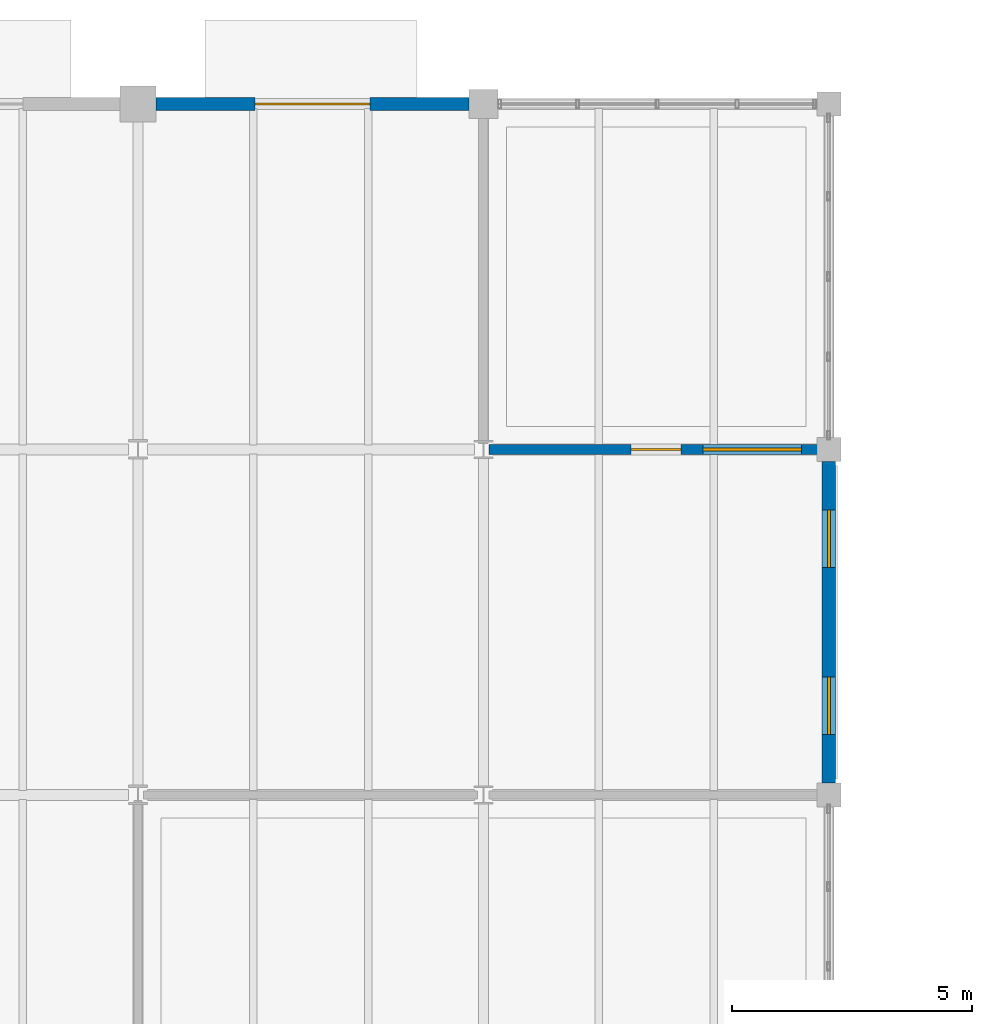
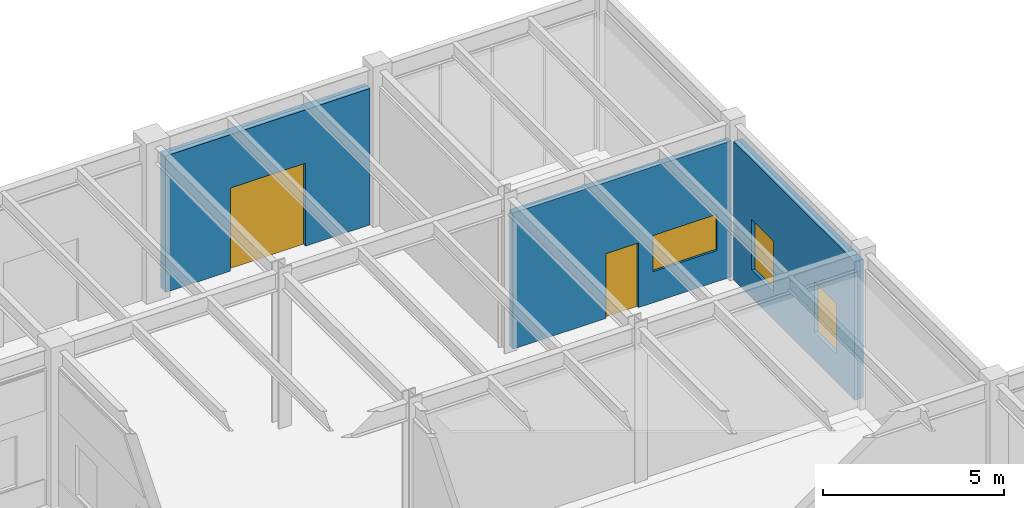
# One storey, part 44 of 97: 3 walls, 3 windows, 2 doors, 5 openings.
"""IFC4 building model written with IfcOpenShell, lengths in metres."""

from ifc_helpers import new_model, si_unit, direction, frame, frame_2d, origin, place, context, subcontext, project, spatial, rectangle, extrude, material, layer, layer_set, type_object, element, fill, save


model = new_model("IFC4")

# Units and contexts
model_context = context("Model", 3, precision=1e-05, world=origin(), true_north=direction((0.0, 1.0)))
body_context = subcontext(model_context, "Body", "Model", "MODEL_VIEW")
ifc_project = project(units=[si_unit("LENGTHUNIT", "METRE"), si_unit("AREAUNIT", "SQUARE_METRE"), si_unit("VOLUMEUNIT", "CUBIC_METRE"), si_unit("PLANEANGLEUNIT", "RADIAN"), si_unit("MASSUNIT", "GRAM", prefix="KILO")], contexts=[model_context])

# Site, building, storey
site_placement = place(None, origin())
site = spatial("IfcSite", under=ifc_project, at=site_placement, CompositionType="ELEMENT")
building_placement = place(site_placement, origin())
building = spatial("IfcBuilding", under=site, at=building_placement, Name="Sillqori Civic Hall", CompositionType="ELEMENT")
storey_placement = place(building_placement, origin())
storey = spatial("IfcBuildingStorey", under=building, at=storey_placement, Name="L01", CompositionType="ELEMENT", Elevation=0.0)

# Wall, opening, door
ifc_material_1 = material(Name="Precast concrete C40/50 (H40)", Category="concrete")
ifc_layer_1 = layer(ifc_material_1, 0.280029296875)
ifc_layer_set_1 = layer_set([ifc_layer_1], Name="Precast concrete C40/50 (H40)")
wall_type_1 = type_object("IfcWallType", Name="EW-LIME-280", PredefinedType="SOLIDWALL", material=ifc_layer_set_1)
wall_1_placement = place(storey_placement, frame((101.175048828125, 115.199951171875, 0.0), z_axis=(0.0, 0.0, 1.0), x_axis=(1.0, 0.0, 0.0)))
wall_1 = element("IfcWall", 1, at=wall_1_placement, inside=storey, type_object=wall_type_1, Name="L01 V4 exterior wall L01-14-15-N", PredefinedType="SOLIDWALL", context=body_context, shape_type="SweptSolid", body=[
    extrude(rectangle(XDim=6.52490234375, YDim=0.280029296875, at=frame_2d((3.262451171875, 0.0))), origin(), (0.0, 0.0, 1.0), 4.597900390625),
])
opening_1_placement = place(wall_1_placement, frame((2.0625, 0.0, 0.0)))
opening_1 = element("IfcOpeningElement", 2, at=opening_1_placement, cuts=wall_1, Name="Opening ED-01", PredefinedType="OPENING", context=body_context, shape_type="SweptSolid", body=[
    extrude(rectangle(XDim=2.39990234375, YDim=2.800048828125, at=frame_2d((1.199951171875, 1.39990234375))), frame((0.0, 0.14990234375, 0.0), z_axis=(0.0, -1.0, 0.0), x_axis=(1.0, 0.0, 0.0)), (0.0, 0.0, 1.0), 0.300048828125),
])
ifc_material_2 = material(Name="Thermally Broken Anodized Aluminium and Laminated Glass", Category="aluminium")
door_type_1 = type_object("IfcDoorType", Name="EDR-MAIN-240X280", OperationType="NOTDEFINED", PredefinedType="DOOR", material=ifc_material_2)
door_1_placement = place(opening_1_placement, origin())
door_1 = element("IfcDoor", 3, at=door_1_placement, inside=storey, type_object=door_type_1, Name="North Civic Garden East Exit", OperationType="DOUBLE_DOOR_SINGLE_SWING", OverallHeight=2.800048828125, OverallWidth=2.39990234375, PredefinedType="DOOR", context=body_context, shape_type="SweptSolid", body=[
    extrude(rectangle(XDim=2.39990234375, YDim=2.800048828125, at=frame_2d((1.199951171875, 1.39990234375))), frame((0.0, 0.02490234375, 0.0), z_axis=(0.0, -1.0, 0.0), x_axis=(1.0, 0.0, 0.0)), (0.0, 0.0, 1.0), 0.050048828125),
])
fill(opening_1, door_1)

# Wall, openings, windows
wall_2_placement = place(storey_placement, frame((115.199951171875, 107.75, 0.0), z_axis=(0.0, 0.0, 1.0), x_axis=(0.0, -1.0, 0.0)))
wall_2 = element("IfcWall", 4, at=wall_2_placement, inside=storey, type_object=wall_type_1, Name="L01 V4 exterior wall L01-15-14-E", PredefinedType="SOLIDWALL", context=body_context, shape_type="SweptSolid", body=[
    extrude(rectangle(XDim=6.699951171875, YDim=0.280029296875, at=frame_2d((3.35009765625, 0.0))), origin(), (0.0, 0.0, 1.0), 4.6669921875),
])
opening_2_placement = place(wall_2_placement, frame((1.008056640625, 0.0, 0.949951171875)))
opening_2 = element("IfcOpeningElement", 5, at=opening_2_placement, cuts=wall_2, Name="Opening W-22", PredefinedType="OPENING", context=body_context, shape_type="SweptSolid", body=[
    extrude(rectangle(XDim=1.199951171875, YDim=1.699951171875, at=frame_2d((0.60009765625, 0.85009765625))), frame((0.0, 0.14990234375, 0.0), z_axis=(0.0, -1.0, 0.0), x_axis=(1.0, 0.0, 0.0)), (0.0, 0.0, 1.0), 0.300048828125),
])
opening_3_placement = place(wall_2_placement, frame((4.491943359375, 0.0, 0.949951171875)))
opening_3 = element("IfcOpeningElement", 6, at=opening_3_placement, cuts=wall_2, Name="Opening W-22", PredefinedType="OPENING", context=body_context, shape_type="SweptSolid", body=[
    extrude(rectangle(XDim=1.199951171875, YDim=1.699951171875, at=frame_2d((0.60009765625, 0.85009765625))), frame((0.0, 0.14990234375, 0.0), z_axis=(0.0, -1.0, 0.0), x_axis=(1.0, 0.0, 0.0)), (0.0, 0.0, 1.0), 0.300048828125),
])
ifc_material_3 = material(Name="Thermally Broken Aluminium Low-E Window", Category="aluminium")
window_type_1 = type_object("IfcWindowType", Name="WIN-V5-120X170", PartitioningType="SINGLE_PANEL", PredefinedType="WINDOW", material=ifc_material_3)
window_1_placement = place(opening_2_placement, origin())
window_1 = element("IfcWindow", 7, at=window_1_placement, inside=storey, type_object=window_type_1, Name="L01 V4 window L01-15-14-E.1", OverallHeight=1.699951171875, OverallWidth=1.199951171875, PartitioningType="SINGLE_PANEL", PredefinedType="WINDOW", context=body_context, shape_type="SweptSolid", body=[
    extrude(rectangle(XDim=1.199951171875, YDim=1.699951171875, at=frame_2d((0.60009765625, 0.85009765625))), frame((0.0, 0.030029296875, 0.0), z_axis=(0.0, -1.0, 0.0), x_axis=(1.0, 0.0, 0.0)), (0.0, 0.0, 1.0), 0.06005859375),
])
fill(opening_2, window_1)
window_2_placement = place(opening_3_placement, origin())
window_2 = element("IfcWindow", 8, at=window_2_placement, inside=storey, type_object=window_type_1, Name="L01 V4 window L01-15-14-E.2", OverallHeight=1.699951171875, OverallWidth=1.199951171875, PartitioningType="SINGLE_PANEL", PredefinedType="WINDOW", context=body_context, shape_type="SweptSolid", body=[
    extrude(rectangle(XDim=1.199951171875, YDim=1.699951171875, at=frame_2d((0.60009765625, 0.85009765625))), frame((0.0, 0.030029296875, 0.0), z_axis=(0.0, -1.0, 0.0), x_axis=(1.0, 0.0, 0.0)), (0.0, 0.0, 1.0), 0.06005859375),
])
fill(opening_3, window_2)

# Wall, openings, door, window
ifc_material_4 = material(Name="Concrete C25/30 (H25)", Category="concrete")
ifc_layer_2 = layer(ifc_material_4, 0.199951171875)
ifc_layer_set_2 = layer_set([ifc_layer_2], Name="Concrete C25/30 (H25)")
wall_type_2 = type_object("IfcWallType", Name="PT-MAS-200", PredefinedType="PARTITIONING", material=ifc_layer_set_2)
wall_3_placement = place(storey_placement, frame((115.080078125, 108.0, 0.0), z_axis=(0.0, 0.0, 1.0), x_axis=(-1.0, 0.0, 0.0)))
wall_3 = element("IfcWall", 9, at=wall_3_placement, inside=storey, type_object=wall_type_2, Name="Social Services Citizen Advisory Suite L01-11 partition S1", PredefinedType="PARTITIONING", context=body_context, shape_type="SweptSolid", body=[
    extrude(rectangle(XDim=6.9599609375, YDim=0.199951171875, at=frame_2d((3.47998046875, 0.0))), origin(), (0.0, 0.0, 1.0), 4.587890625),
])
opening_4_placement = place(wall_3_placement, frame((2.9599609375, 0.0, 0.0)))
opening_4 = element("IfcOpeningElement", 10, at=opening_4_placement, cuts=wall_3, Name="Opening ID-25", PredefinedType="OPENING", context=body_context, shape_type="SweptSolid", body=[
    extrude(rectangle(XDim=1.0400390625, YDim=2.179931640625, at=frame_2d((0.52001953125, 1.08984375))), frame((0.0, 0.10986328125, 0.0), z_axis=(0.0, -1.0, 0.0), x_axis=(1.0, 0.0, 0.0)), (0.0, 0.0, 1.0), 0.219970703125),
])
opening_5_placement = place(wall_3_placement, frame((0.449951171875, 0.0, 1.050048828125)))
opening_5 = element("IfcOpeningElement", 11, at=opening_5_placement, cuts=wall_3, Name="Opening IW-18", PredefinedType="OPENING", context=body_context, shape_type="SweptSolid", body=[
    extrude(rectangle(XDim=2.050048828125, YDim=1.219970703125, at=frame_2d((1.02490234375, 0.60986328125))), frame((0.0, 0.10986328125, 0.0), z_axis=(0.0, -1.0, 0.0), x_axis=(1.0, 0.0, 0.0)), (0.0, 0.0, 1.0), 0.219970703125),
])
ifc_material_5 = material(Name="Directorate Cedar Door 1040", Category="timber")
door_type_2 = type_object("IfcDoorType", Name="IDR-DIR-104X218", OperationType="NOTDEFINED", PredefinedType="DOOR", material=ifc_material_5)
door_2_placement = place(opening_4_placement, origin())
door_2 = element("IfcDoor", 12, at=door_2_placement, inside=storey, type_object=door_type_2, Name="Social Services Citizen Advisory Suite L01-11 entrance door", OperationType="SINGLE_SWING_RIGHT", OverallHeight=2.179931640625, OverallWidth=1.0400390625, PredefinedType="DOOR", context=body_context, shape_type="SweptSolid", body=[
    extrude(rectangle(XDim=1.0400390625, YDim=2.179931640625, at=frame_2d((0.52001953125, 1.08984375))), frame((0.0, 0.02490234375, 0.0), z_axis=(0.0, -1.0, 0.0), x_axis=(1.0, 0.0, 0.0)), (0.0, 0.0, 1.0), 0.050048828125),
])
fill(opening_4, door_2)
ifc_material_6 = material(Name="Acoustic Laminated Interior Clerestory Glazing", Category="glass")
window_type_2 = type_object("IfcWindowType", Name="IWN-STU-205X122", PartitioningType="SINGLE_PANEL", PredefinedType="WINDOW", material=ifc_material_6)
window_3_placement = place(opening_5_placement, origin())
window_3 = element("IfcWindow", 13, at=window_3_placement, inside=storey, type_object=window_type_2, Name="Social Services Citizen Advisory Suite L01-11 borrowed-light screen", OverallHeight=1.219970703125, OverallWidth=2.050048828125, PartitioningType="SINGLE_PANEL", PredefinedType="WINDOW", context=body_context, shape_type="SweptSolid", body=[
    extrude(rectangle(XDim=2.050048828125, YDim=1.219970703125, at=frame_2d((1.02490234375, 0.60986328125))), frame((0.0, 0.030029296875, 0.0), z_axis=(0.0, -1.0, 0.0), x_axis=(1.0, 0.0, 0.0)), (0.0, 0.0, 1.0), 0.06005859375),
])
fill(opening_5, window_3)

save(model, "model.ifc")
